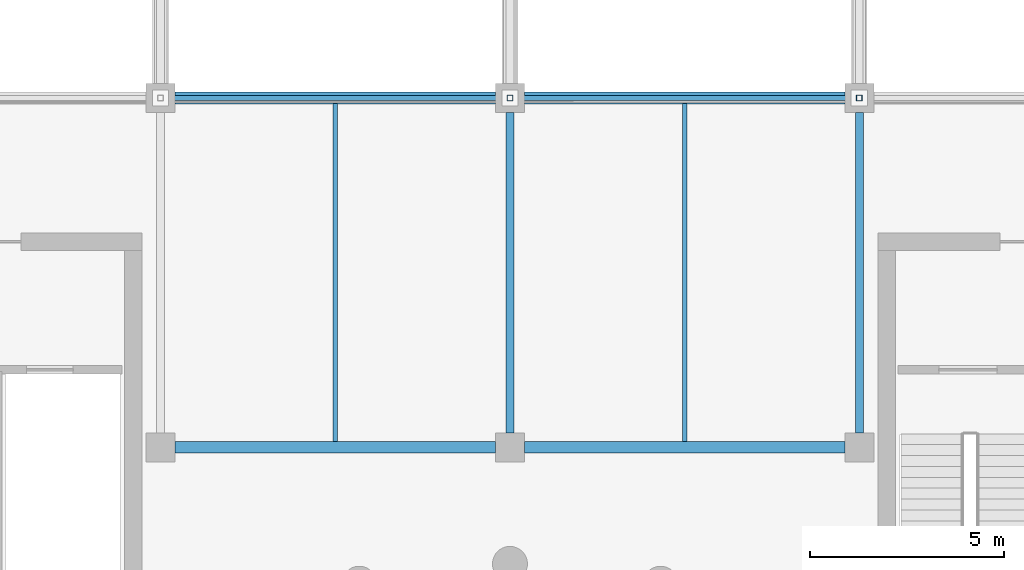
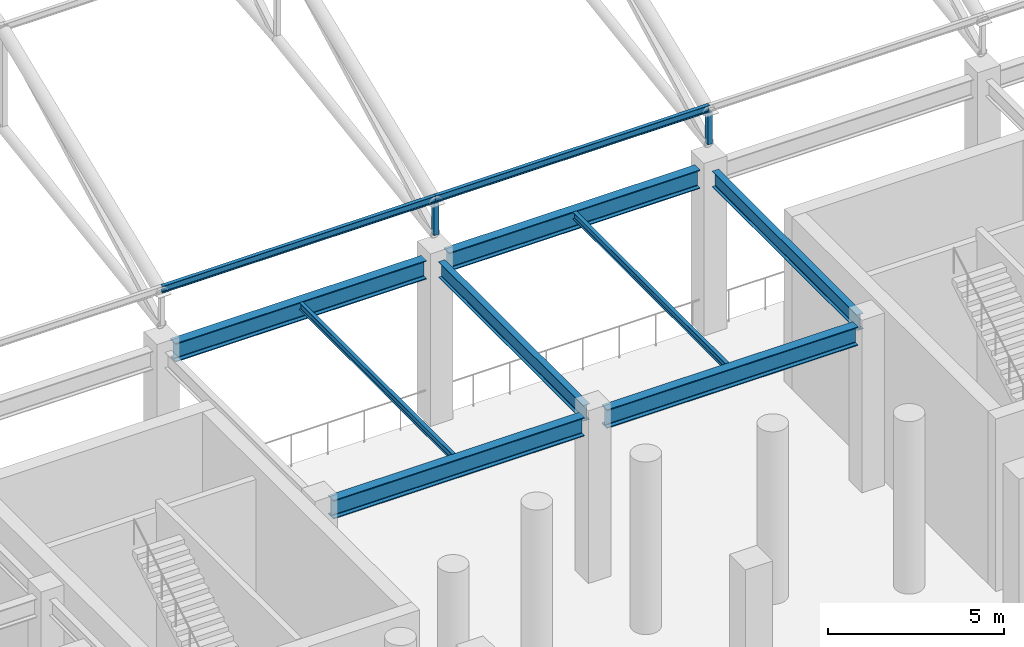
# One storey, part 32 of 223: 8 beams, 4 members.
"""IFC4 building model written with IfcOpenShell, lengths in metres."""

import ifcopenshell
import ifcopenshell.guid

model = None  # the IFC model being written
_history = None  # IfcOwnerHistory: only IFC2X3 demands one
_inside = {}  # id of a spatial element -> (the spatial element, [elements in it])
_under = {}  # id of a project, library or spatial element -> (it, [spatial elements below it])
_declared = {}  # id of a project -> (the project, [libraries it declares])
_typed = {}  # id of a type object -> (the type object, [elements of that type])
_made_of = {}  # id of a material, layer set ... -> (it, [elements and type objects made of it])


def new_model(schema):
    """Start an empty IFC model of exactly this schema.

    Asked for "IFC4X3", IfcOpenShell would pick the latest addendum, in which some entities
    have other attributes; the version numbers below select the first issue.
    IFC2X3 requires an IfcOwnerHistory on every rooted entity: one is made here for all.
    """
    global model, _history
    if schema == "IFC4X3":
        model = ifcopenshell.file(schema_version=(4, 3, 0, 0))
    else:
        model = ifcopenshell.file(schema=schema)
    _inside.clear()
    _under.clear()
    _declared.clear()
    _typed.clear()
    _made_of.clear()
    _history = None
    if model.schema == "IFC2X3":
        org = make("IfcOrganization", Name="unknown")
        user = make(
            "IfcPersonAndOrganization",
            ThePerson=make("IfcPerson", FamilyName="unknown"),
            TheOrganization=org,
        )
        app = make(
            "IfcApplication",
            ApplicationDeveloper=org,
            Version="unknown",
            ApplicationFullName="unknown",
            ApplicationIdentifier="unknown",
        )
        _history = make(
            "IfcOwnerHistory",
            OwningUser=user,
            OwningApplication=app,
            ChangeAction="ADDED",
            CreationDate=0,
        )
    return model


def make(cls, **values):
    """One entity of the class cls with the attributes given. An attribute that is None is left unset."""
    return model.create_entity(
        cls, **{name: value for name, value in values.items() if value is not None}
    )


def rooted(cls, **values):
    """An entity with a GlobalId (a new one), such as an element, a storey or a relation."""
    return make(cls, GlobalId=ifcopenshell.guid.new(), OwnerHistory=_history, **values)


def si_unit(unit_type, name, prefix=None):
    """IfcSIUnit, for example si_unit("LENGTHUNIT", "METRE", prefix="MILLI")."""
    return make("IfcSIUnit", UnitType=unit_type, Prefix=prefix, Name=name)


def assignment(units):
    """IfcUnitAssignment: the units of a project."""
    return None if units is None else make("IfcUnitAssignment", Units=units)


def point(xyz):
    """IfcCartesianPoint."""
    return None if xyz is None else make("IfcCartesianPoint", Coordinates=xyz)


def direction(xyz):
    """IfcDirection."""
    return None if xyz is None else make("IfcDirection", DirectionRatios=xyz)


def frame(location, z_axis=None, x_axis=None):
    """IfcAxis2Placement3D, a coordinate frame: its origin and axes. An axis left out is left unset."""
    return make(
        "IfcAxis2Placement3D",
        Location=point(location),
        Axis=direction(z_axis),
        RefDirection=direction(x_axis),
    )


def frame_2d(location, x_axis=None):
    """IfcAxis2Placement2D, a coordinate frame in the plane: its origin and x axis."""
    return make(
        "IfcAxis2Placement2D", Location=point(location), RefDirection=direction(x_axis)
    )


def origin():
    """The frame at (0, 0, 0) with its axes left unset."""
    return frame((0.0, 0.0, 0.0))


def origin_2d():
    """The frame at (0, 0) in the plane with its x axis left unset."""
    return frame_2d((0.0, 0.0))


def place(relative_to, where):
    """IfcLocalPlacement: puts the frame where relative to a parent placement (None: the world)."""
    return make(
        "IfcLocalPlacement", PlacementRelTo=relative_to, RelativePlacement=where
    )


def context(
    kind, dimensions, precision=None, world=None, true_north=None, identifier=None
):
    """IfcGeometricRepresentationContext, for example the 3D "Model" context."""
    return make(
        "IfcGeometricRepresentationContext",
        ContextIdentifier=identifier,
        ContextType=kind,
        CoordinateSpaceDimension=dimensions,
        Precision=precision,
        WorldCoordinateSystem=world,
        TrueNorth=true_north,
    )


def subcontext(parent, identifier, kind, view, scale=None):
    """IfcGeometricRepresentationSubContext, for example "Body" below "Model"."""
    return make(
        "IfcGeometricRepresentationSubContext",
        ContextIdentifier=identifier,
        ContextType=kind,
        ParentContext=parent,
        TargetScale=scale,
        TargetView=view,
    )


def project(units=None, contexts=None):
    """IfcProject with its units and contexts."""
    return rooted(
        "IfcProject",
        Name="project",
        RepresentationContexts=contexts,
        UnitsInContext=assignment(units),
    )


def spatial(cls, under=None, at=None, **own):
    """A site, building, storey or space (cls), placed at a placement, below another one or the project."""
    s = rooted(cls, ObjectPlacement=at, **own)
    if under is not None:
        _under.setdefault(under.id(), (under, []))[1].append(s)
    return s


def profile(cls, at=None, kind="AREA", **sizes):
    """A parametric profile (cls). Its sizes go by their IFC names, for example OverallWidth=200.0."""
    return make(cls, ProfileType=kind, Position=at, **sizes)


def hollow_rectangle(**sizes):
    """IfcRectangleHollowProfileDef."""
    return profile("IfcRectangleHollowProfileDef", **sizes)


def i_section(**sizes):
    """IfcIShapeProfileDef."""
    return profile("IfcIShapeProfileDef", **sizes)


def extrude(swept, where, along, depth):
    """IfcExtrudedAreaSolid: the profile swept, set in the frame where, extruded along a direction by depth."""
    return make(
        "IfcExtrudedAreaSolid",
        SweptArea=swept,
        Position=where,
        ExtrudedDirection=direction(along),
        Depth=depth,
    )


def shape(context_of_items, identifier, shape_type, items):
    """IfcShapeRepresentation: the items that make up one representation, for example the "Body"."""
    return make(
        "IfcShapeRepresentation",
        ContextOfItems=context_of_items,
        RepresentationIdentifier=identifier,
        RepresentationType=shape_type,
        Items=items,
    )


def material(Name=None, Category=None):
    """IfcMaterial."""
    return make("IfcMaterial", Name=Name, Category=Category)


def material_profile(
    of_material, cross_section, Name=None, Category=None, Priority=None
):
    """IfcMaterialProfile: a cross section and its material."""
    return make(
        "IfcMaterialProfile",
        Name=Name,
        Material=of_material,
        Profile=cross_section,
        Priority=Priority,
        Category=Category,
    )


def profile_set(profiles, Name=None, composite=None):
    """IfcMaterialProfileSet."""
    return make(
        "IfcMaterialProfileSet",
        Name=Name,
        MaterialProfiles=profiles,
        CompositeProfile=composite,
    )


def made_of(thing, what):
    """Note that an element or type object is made of a material, layer set ...; save() writes the relation."""
    if what is not None:
        _made_of.setdefault(what.id(), (what, []))[1].append(thing)
    return thing


def type_object(cls, material=None, **own):
    """A type object (cls), such as IfcWallType, which elements share."""
    return made_of(rooted(cls, **own), material)


def element(
    cls,
    number,
    at=None,
    inside=None,
    cuts=None,
    type_object=None,
    material=None,
    context=None,
    identifier="Body",
    shape_type=None,
    held_by="IfcProductDefinitionShape",
    body=None,
    shapes=None,
    **own,
):
    """One element of the class cls, such as IfcWall. Its Tag is "e" and its number.

    at: its placement. inside: the storey or other place that contains it. cuts: it is an
    opening in that element (IfcRelVoidsElement). A single representation is given by context,
    identifier, shape_type and body (its items); several are given by shapes. held_by: the class
    of the entity that holds the representations. save() writes the other relations.
    """
    e = rooted(cls, Tag="e%d" % number, ObjectPlacement=at, **own)
    if body is not None:
        shapes = [shape(context, identifier, shape_type, body)]
    if shapes is not None:
        e.Representation = make(held_by, Representations=shapes)
    if inside is not None:
        _inside.setdefault(inside.id(), (inside, []))[1].append(e)
    if cuts is not None:
        rooted(
            "IfcRelVoidsElement", RelatingBuildingElement=cuts, RelatedOpeningElement=e
        )
    if type_object is not None:
        _typed.setdefault(type_object.id(), (type_object, []))[1].append(e)
    return made_of(e, material)


def aggregate(whole, parts):
    """IfcRelAggregates: a whole, such as a stair, and the parts it consists of."""
    return rooted("IfcRelAggregates", RelatingObject=whole, RelatedObjects=parts)


def save(model, path):
    """Write the relations noted so far, then the file.

    IfcRelAggregates (storeys below a building ...), IfcRelContainedInSpatialStructure (elements
    in a storey), IfcRelDefinesByType, IfcRelAssociatesMaterial and IfcRelDeclares: one each for
    every whole, place, type object, material and project.
    """
    for whole, parts in _under.values():
        aggregate(whole, parts)
    for where, things in _inside.values():
        rooted(
            "IfcRelContainedInSpatialStructure",
            RelatedElements=things,
            RelatingStructure=where,
        )
    for kind, things in _typed.values():
        rooted("IfcRelDefinesByType", RelatedObjects=things, RelatingType=kind)
    for what, things in _made_of.values():
        rooted("IfcRelAssociatesMaterial", RelatedObjects=things, RelatingMaterial=what)
    for by, libraries in _declared.values():
        rooted("IfcRelDeclares", RelatingContext=by, RelatedDefinitions=libraries)
    model.write(path)


model = new_model("IFC4")

# Units and contexts
model_context = context("Model", 3, precision=1e-05, world=origin(), true_north=direction((0.0, 1.0)))
body_context = subcontext(model_context, "Body", "Model", "MODEL_VIEW")
ifc_project = project(units=[si_unit("LENGTHUNIT", "METRE"), si_unit("AREAUNIT", "SQUARE_METRE"), si_unit("VOLUMEUNIT", "CUBIC_METRE"), si_unit("PLANEANGLEUNIT", "RADIAN"), si_unit("MASSUNIT", "GRAM", prefix="KILO")], contexts=[model_context])

# Site, building, storey
site_placement = place(None, origin())
site = spatial("IfcSite", under=ifc_project, at=site_placement, CompositionType="ELEMENT")
building_placement = place(site_placement, origin())
building = spatial("IfcBuilding", under=site, at=building_placement, Name="Dornveld Trade and Exhibition Forum", CompositionType="ELEMENT")
storey_placement = place(building_placement, frame((0.0, 0.0, 6.0)))
storey = spatial("IfcBuildingStorey", under=building, at=storey_placement, Name="L01", CompositionType="ELEMENT", Elevation=6.0)

# Beams
ifc_material_1 = material(Name="Steel S355J2", Category="steel")
ifc_material_profile_1 = material_profile(ifc_material_1, i_section(OverallWidth=0.300048828125, OverallDepth=0.64990234375, WebThickness=0.01611328125, FlangeThickness=0.031005859375, FilletRadius=0.027099609375, at=origin_2d()), Name="HEB 650")
ifc_profile_set_1 = profile_set([ifc_material_profile_1], Name="Steel S355J2")
beam_type_1 = type_object("IfcBeamType", Name="BM-GIR-HEB650", PredefinedType="USERDEFINED", material=ifc_profile_set_1)
for number, where, z_axis, x_axis, name in (
    (1, (108.37109375, 99.0, 5.31494140625), (1.0, 0.0, 0.0), (0.0, 1.0, 0.0), "L01 X-girder 1186"),
    (2, (117.37109375, 99.0, 5.31494140625), (1.0, 0.0, 0.0), (0.0, 1.0, 0.0), "L01 X-girder 1187"),
    (3, (108.37109375, 108.0, 5.31494140625), (1.0, 0.0, 0.0), (0.0, 1.0, 0.0), "L01 X-girder 1193"),
    (4, (117.37109375, 108.0, 5.31494140625), (1.0, 0.0, 0.0), (0.0, 1.0, 0.0), "L01 X-girder 1194"),
):
    element("IfcBeam", number, at=place(storey_placement, frame(where, z_axis=z_axis, x_axis=x_axis)), inside=storey, type_object=beam_type_1, Name=name, ObjectType="GIRDER", PredefinedType="USERDEFINED", context=body_context, shape_type="SweptSolid", body=[
        extrude(i_section(OverallWidth=0.300048828125, OverallDepth=0.64990234375, WebThickness=0.01611328125, FlangeThickness=0.031005859375, FilletRadius=0.027099609375, at=origin_2d()), origin(), (0.0, 0.0, 1.0), 8.2578125),
    ])
ifc_material_2 = material(Name="Steel S355J2", Category="steel")
ifc_material_profile_2 = material_profile(ifc_material_2, i_section(OverallWidth=0.1201171875, OverallDepth=0.239990234375, WebThickness=0.006103515625, FlangeThickness=0.009765625, FilletRadius=0.014892578125, at=origin_2d()), Name="IPE 240")
ifc_profile_set_2 = profile_set([ifc_material_profile_2], Name="Steel S355J2")
beam_type_2 = type_object("IfcBeamType", Name="BM-JOIST-240", PredefinedType="JOIST", material=ifc_profile_set_2)
for number, where, z_axis, x_axis, name in (
    (5, (112.5, 99.14697265625, 5.52001953125), (0.0, 1.0, 0.0), (-1.0, 0.0, 0.0), "L01 secondary joist 1264"),
    (6, (121.5, 99.14697265625, 5.52001953125), (0.0, 1.0, 0.0), (-1.0, 0.0, 0.0), "L01 secondary joist 1266"),
):
    element("IfcBeam", number, at=place(storey_placement, frame(where, z_axis=z_axis, x_axis=x_axis)), inside=storey, type_object=beam_type_2, Name=name, PredefinedType="JOIST", context=body_context, shape_type="SweptSolid", body=[
        extrude(i_section(OverallWidth=0.1201171875, OverallDepth=0.239990234375, WebThickness=0.006103515625, FlangeThickness=0.009765625, FilletRadius=0.014892578125, at=origin_2d()), origin(), (0.0, 0.0, 1.0), 8.7060546875),
    ])
ifc_material_3 = material(Name="Steel S355J2", Category="steel")
ifc_material_profile_3 = material_profile(ifc_material_3, i_section(OverallWidth=0.2099609375, OverallDepth=0.550048828125, WebThickness=0.010986328125, FlangeThickness=0.01708984375, FilletRadius=0.02392578125, at=origin_2d()), Name="IPE 550")
ifc_profile_set_3 = profile_set([ifc_material_profile_3], Name="Steel S355J2")
beam_type_3 = type_object("IfcBeamType", Name="BM-SEC-550", PredefinedType="BEAM", material=ifc_profile_set_3)
for number, where, z_axis, x_axis, name in (
    (7, (117.0, 99.37109375, 5.364990234375), (0.0, 1.0, 0.0), (-1.0, 0.0, 0.0), "L01 Y-girder 1227"),
    (8, (126.0, 99.37109375, 5.364990234375), (0.0, 1.0, 0.0), (-1.0, 0.0, 0.0), "L01 Y-girder 1229"),
):
    element("IfcBeam", number, at=place(storey_placement, frame(where, z_axis=z_axis, x_axis=x_axis)), inside=storey, type_object=beam_type_3, Name=name, PredefinedType="BEAM", context=body_context, shape_type="SweptSolid", body=[
        extrude(i_section(OverallWidth=0.2099609375, OverallDepth=0.550048828125, WebThickness=0.010986328125, FlangeThickness=0.01708984375, FilletRadius=0.02392578125, at=origin_2d()), origin(), (0.0, 0.0, 1.0), 8.2578125),
    ])

# Members
ifc_material_4 = material(Name="Steel S355J2", Category="steel")
ifc_material_profile_4 = material_profile(ifc_material_4, hollow_rectangle(XDim=0.14990234375, YDim=0.14990234375, WallThickness=0.008056640625, at=origin_2d()), Name="SHS 150x150x8")
ifc_profile_set_4 = profile_set([ifc_material_profile_4], Name="Steel S355J2")
member_type_1 = type_object("IfcMemberType", Name="MEM-ARCH-STR", PredefinedType="STRUT", material=ifc_profile_set_4)
for number, where, z_axis, x_axis, name in (
    (9, (117.0, 108.0, 6.35009765625), (0.0, 0.0, 1.0), (1.0, 0.0, 0.0), "H1 truss 3 strut 1"),
    (10, (126.0, 108.0, 6.35009765625), (0.0, 0.0, 1.0), (1.0, 0.0, 0.0), "H1 truss 4 strut 1"),
):
    element("IfcMember", number, at=place(storey_placement, frame(where, z_axis=z_axis, x_axis=x_axis)), inside=storey, type_object=member_type_1, Name=name, PredefinedType="STRUT", context=body_context, shape_type="SweptSolid", body=[
        extrude(hollow_rectangle(XDim=0.14990234375, YDim=0.14990234375, WallThickness=0.008056640625, at=origin_2d()), origin(), (0.0, 0.0, 1.0), 1.099853515625),
    ])
ifc_material_5 = material(Name="Steel S355J2", Category="steel")
ifc_material_profile_5 = material_profile(ifc_material_5, i_section(OverallWidth=0.1201171875, OverallDepth=0.239990234375, WebThickness=0.006103515625, FlangeThickness=0.009765625, FilletRadius=0.014892578125, at=origin_2d()), Name="IPE 240")
ifc_profile_set_5 = profile_set([ifc_material_profile_5], Name="Steel S355J2")
member_type_2 = type_object("IfcMemberType", Name="MEM-PURLIN-240", PredefinedType="PURLIN", material=ifc_profile_set_5)
for number, where, z_axis, x_axis, name in (
    (11, (108.0, 108.0, 7.58203125), (1.0, 0.0, 0.0), (0.0, 1.0, 0.0), "H1 bay 2 roof purlin 1"),
    (12, (117.0, 108.0, 7.58203125), (1.0, 0.0, 0.0), (0.0, 1.0, 0.0), "H1 bay 3 roof purlin 1"),
):
    element("IfcMember", number, at=place(storey_placement, frame(where, z_axis=z_axis, x_axis=x_axis)), inside=storey, type_object=member_type_2, Name=name, PredefinedType="PURLIN", context=body_context, shape_type="SweptSolid", body=[
        extrude(i_section(OverallWidth=0.1201171875, OverallDepth=0.239990234375, WebThickness=0.006103515625, FlangeThickness=0.009765625, FilletRadius=0.014892578125, at=origin_2d()), origin(), (0.0, 0.0, 1.0), 9.0),
    ])

save(model, "model.ifc")
